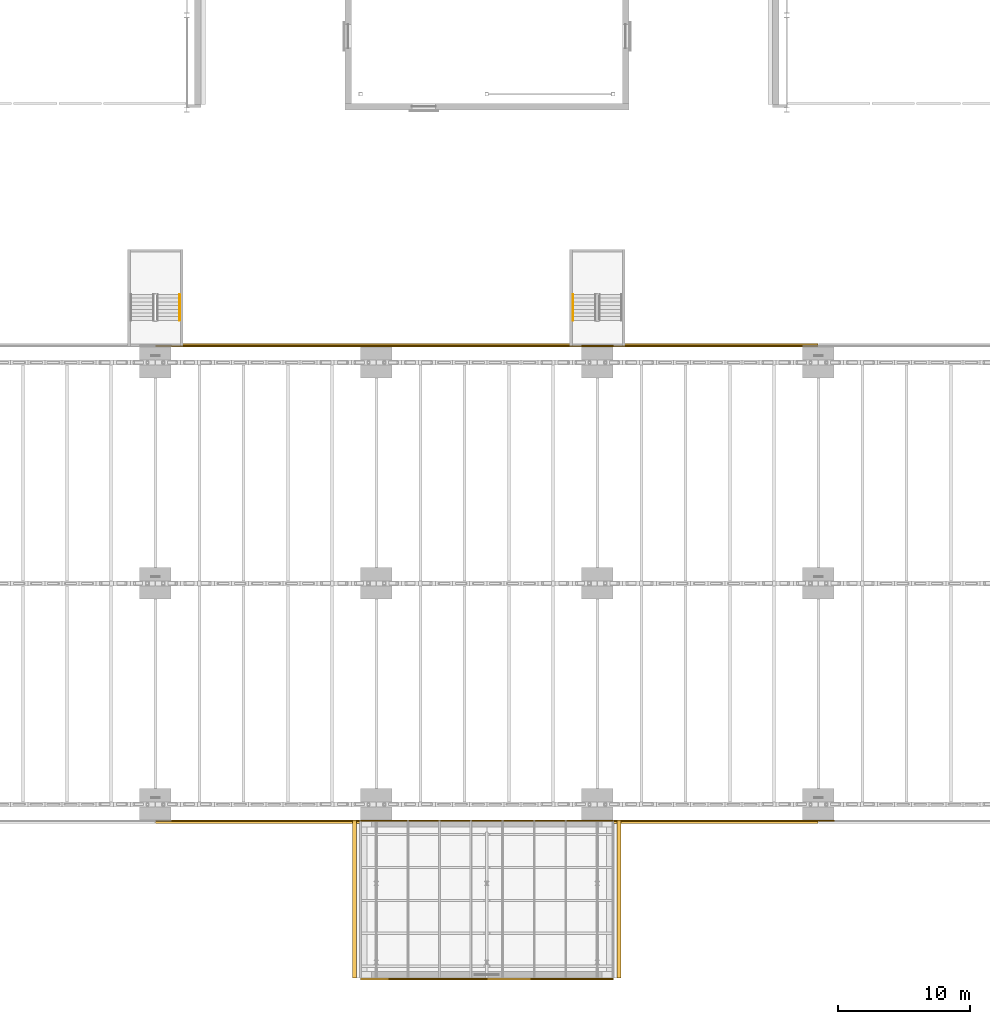
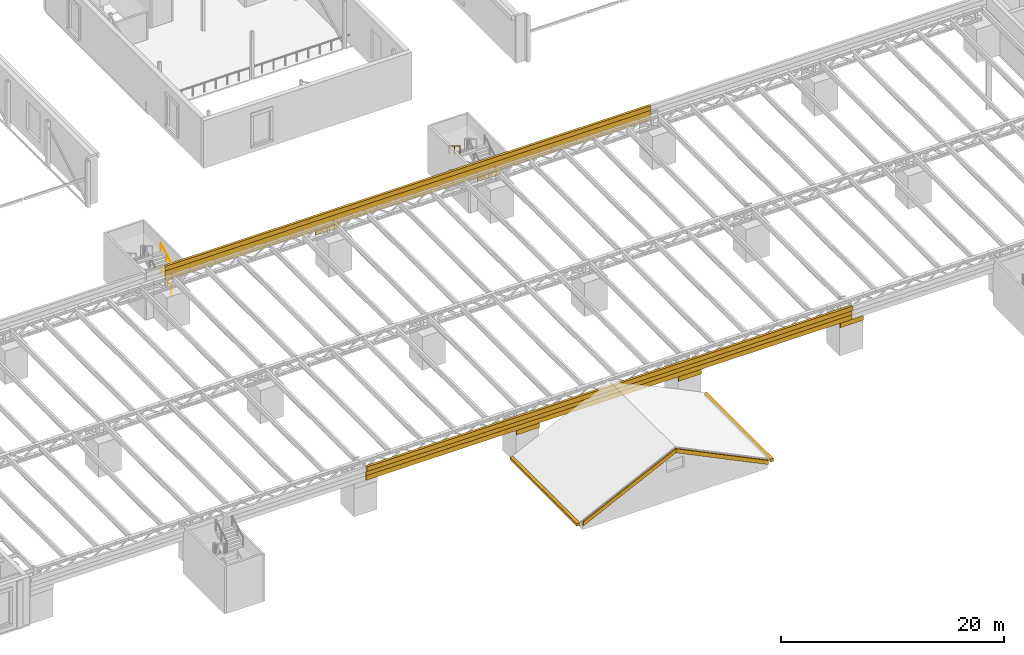
# One storey, part 83 of 93: 15 coverings, 4 railings.
"""IFC4 building model written with IfcOpenShell, lengths in metres."""

from ifc_helpers import new_model, si_unit, direction, frame, origin, origin_2d, place, context, subcontext, project, spatial, polyline, rectangle, circle, outline, extrude, material, layer, layer_set, type_object, element, save


model = new_model("IFC4")

# Units and contexts
model_context = context("Model", 3, precision=1e-05, world=origin(), true_north=direction((0.0, 1.0)))
body_context = subcontext(model_context, "Body", "Model", "MODEL_VIEW")
ifc_project = project(units=[si_unit("LENGTHUNIT", "METRE"), si_unit("AREAUNIT", "SQUARE_METRE"), si_unit("VOLUMEUNIT", "CUBIC_METRE"), si_unit("PLANEANGLEUNIT", "RADIAN"), si_unit("MASSUNIT", "GRAM", prefix="KILO")], contexts=[model_context])

# Site, building, storey
site_placement = place(None, origin())
site = spatial("IfcSite", under=ifc_project, at=site_placement, CompositionType="ELEMENT")
building_placement = place(site_placement, origin())
building = spatial("IfcBuilding", under=site, at=building_placement, Name="Verrick Yard Athletic Hall", CompositionType="ELEMENT")
storey_placement = place(building_placement, frame((0.0, 0.0, 8.800048828125)))
storey = spatial("IfcBuildingStorey", under=building, at=storey_placement, Name="L02", CompositionType="ELEMENT", Elevation=8.800048828125)

# Coverings
ifc_material_1 = material(Name="Limestone cladding", Category="masonry")
ifc_layer_1 = layer(ifc_material_1, 0.25)
ifc_layer_set_1 = layer_set([ifc_layer_1], Name="Cornice")
covering_type_1 = type_object("IfcCoveringType", Name="Cornice", PredefinedType="MOLDING", material=ifc_layer_set_1)
for number, where, z_axis, x_axis, name in (
    (1, (98.800048828125, 17.875, 4.699951171875), (0.0, 0.0, 1.0), (1.0, 0.0, 0.0), "Cornice S2"),
    (2, (98.800048828125, 54.125, 4.699951171875), (0.0, 0.0, 1.0), (1.0, 0.0, 0.0), "Cornice N2"),
):
    element("IfcCovering", number, at=place(storey_placement, frame(where, z_axis=z_axis, x_axis=x_axis)), inside=storey, type_object=covering_type_1, Name=name, PredefinedType="MOLDING", context=body_context, shape_type="SweptSolid", body=[
        extrude(rectangle(XDim=50.35009765625, YDim=0.25, at=origin_2d()), origin(), (0.0, 0.0, 1.0), 0.5),
    ])
ifc_layer_2 = layer(ifc_material_1, 0.10009765625)
ifc_layer_set_2 = layer_set([ifc_layer_2], Name="Entablature band")
covering_type_2 = type_object("IfcCoveringType", Name="Entablature band", PredefinedType="CLADDING", material=ifc_layer_set_2)
for number, where, z_axis, x_axis, name in (
    (3, (98.800048828125, 17.949951171875, 3.64990234375), (0.0, 0.0, 1.0), (1.0, 0.0, 0.0), "Architrave S2"),
    (4, (98.800048828125, 54.050048828125, 3.64990234375), (0.0, 0.0, 1.0), (1.0, 0.0, 0.0), "Architrave N2"),
):
    element("IfcCovering", number, at=place(storey_placement, frame(where, z_axis=z_axis, x_axis=x_axis)), inside=storey, type_object=covering_type_2, Name=name, PredefinedType="CLADDING", context=body_context, shape_type="SweptSolid", body=[
        extrude(rectangle(XDim=50.35009765625, YDim=0.10009765625, at=origin_2d()), origin(), (0.0, 0.0, 1.0), 0.5),
    ])
for number, where, z_axis, x_axis, name in (
    (5, (98.800048828125, 17.949951171875, 4.14990234375), (0.0, 0.0, 1.0), (1.0, 0.0, 0.0), "Frieze S2"),
    (6, (98.800048828125, 54.050048828125, 4.14990234375), (0.0, 0.0, 1.0), (1.0, 0.0, 0.0), "Frieze N2"),
):
    element("IfcCovering", number, at=place(storey_placement, frame(where, z_axis=z_axis, x_axis=x_axis)), inside=storey, type_object=covering_type_2, Name=name, PredefinedType="CLADDING", context=body_context, shape_type="SweptSolid", body=[
        extrude(rectangle(XDim=50.35009765625, YDim=0.10009765625, at=origin_2d()), origin(), (0.0, 0.0, 1.0), 0.550048828125),
    ])
ifc_layer_3 = layer(ifc_material_1, 0.10009765625)
ifc_layer_set_3 = layer_set([ifc_layer_3], Name="Impost and capital moulding")
covering_type_3 = type_object("IfcCoveringType", Name="Impost and capital moulding", PredefinedType="MOLDING", material=ifc_layer_set_3)
for number, where, z_axis, x_axis, name in (
    (7, (90.39990234375, 17.949951171875, 3.14990234375), (0.0, 0.0, 1.0), (1.0, 0.0, 0.0), "Capital S4"),
    (8, (107.199951171875, 17.949951171875, 3.14990234375), (0.0, 0.0, 1.0), (1.0, 0.0, 0.0), "Capital S5"),
    (9, (124.0, 17.949951171875, 3.14990234375), (0.0, 0.0, 1.0), (1.0, 0.0, 0.0), "Capital S6"),
    (10, (90.39990234375, 54.050048828125, 3.14990234375), (0.0, 0.0, 1.0), (1.0, 0.0, 0.0), "Capital N4"),
    (11, (107.199951171875, 54.050048828125, 3.14990234375), (0.0, 0.0, 1.0), (1.0, 0.0, 0.0), "Capital N5"),
):
    element("IfcCovering", number, at=place(storey_placement, frame(where, z_axis=z_axis, x_axis=x_axis)), inside=storey, type_object=covering_type_3, Name=name, PredefinedType="MOLDING", context=body_context, shape_type="SweptSolid", body=[
        extrude(rectangle(XDim=2.39990234375, YDim=0.10009765625, at=origin_2d()), origin(), (0.0, 0.0, 1.0), 0.5),
    ])
ifc_material_2 = material(Name="Heat-traced aluminium gutter", Category="aluminium")
ifc_layer_4 = layer(ifc_material_2, 0.050048828125)
ifc_layer_set_4 = layer_set([ifc_layer_4], Name="Roof gutter")
covering_type_4 = type_object("IfcCoveringType", Name="Roof gutter", PredefinedType="MOLDING", material=ifc_layer_set_4)
for number, where, z_axis, x_axis, name in (
    (12, (88.75, 12.0, 0.57470703125), (0.0, 0.0, 1.0), (1.0, 0.0, 0.0), "Heated eaves gutter foyer W"),
    (13, (108.85009765625, 12.0, 0.57470703125), (0.0, 0.0, 1.0), (1.0, 0.0, 0.0), "Heated eaves gutter foyer E"),
):
    element("IfcCovering", number, at=place(storey_placement, frame(where, z_axis=z_axis, x_axis=x_axis)), inside=storey, type_object=covering_type_4, Name=name, PredefinedType="MOLDING", context=body_context, shape_type="SweptSolid", body=[
        extrude(rectangle(XDim=0.300048828125, YDim=12.0, at=origin_2d()), origin(), (0.0, 0.0, 1.0), 0.300048828125),
    ])

# Railings
ifc_material_3 = material(Name="Stainless steel", Category="steel")
railing_type = type_object("IfcRailingType", Name="Stair handrail 900", PredefinedType="HANDRAIL", material=ifc_material_3)
for number, where, name in (
    (14, (105.35009765625, 57.9599609375, 1.46240234375), "L02 North deck escape 2 stair handrail 2"),
    (15, (105.35009765625, 57.9599609375, 4.0625), "L02 North deck escape 2 stair handrail 4"),
):
    element("IfcRailing", number, at=place(storey_placement, frame(where)), inside=storey, type_object=railing_type, Name=name, PredefinedType="HANDRAIL", context=body_context, shape_type="SweptSolid", body=[
        extrude(circle(Radius=0.02392578125, at=origin_2d()), frame((0.0, 0.0, 0.8759765625), z_axis=(0.0, -0.864902109995, 0.501940574298), x_axis=(1.0, 0.0, 0.0)), (0.0, 0.0, 1.0), 2.26611328125),
        extrude(circle(Radius=0.02099609375, at=origin_2d()), origin(), (0.0, 0.0, 1.0), 0.851806640625),
        extrude(circle(Radius=0.02099609375, at=origin_2d()), frame((0.0, -0.97998046875, 0.56884765625)), (0.0, 0.0, 1.0), 0.851806640625),
        extrude(circle(Radius=0.02099609375, at=origin_2d()), frame((0.0, -1.9599609375, 1.137451171875)), (0.0, 0.0, 1.0), 0.851806640625),
    ])
railing_1_placement = place(storey_placement, frame((75.449951171875, 56.0, 0.162353515625)))
element("IfcRailing", 16, at=railing_1_placement, inside=storey, type_object=railing_type, Name="L02 North deck escape 3 stair handrail 1", PredefinedType="HANDRAIL", context=body_context, shape_type="SweptSolid", body=[
    extrude(circle(Radius=0.02392578125, at=origin_2d()), frame((0.0, 0.0, 0.8759765625), z_axis=(0.0, 0.864855337533, 0.502021160053), x_axis=(-1.0, 0.0, 0.0)), (0.0, 0.0, 1.0), 2.26611328125),
    extrude(circle(Radius=0.02099609375, at=origin_2d()), origin(), (0.0, 0.0, 1.0), 0.851806640625),
    extrude(circle(Radius=0.02099609375, at=origin_2d()), frame((0.0, 0.97998046875, 0.56884765625)), (0.0, 0.0, 1.0), 0.851806640625),
    extrude(circle(Radius=0.02099609375, at=origin_2d()), frame((0.0, 1.9599609375, 1.1376953125)), (0.0, 0.0, 1.0), 0.851806640625),
])
railing_2_placement = place(storey_placement, frame((75.449951171875, 56.0, 2.762451171875)))
element("IfcRailing", 17, at=railing_2_placement, inside=storey, type_object=railing_type, Name="L02 North deck escape 3 stair handrail 3", PredefinedType="HANDRAIL", context=body_context, shape_type="SweptSolid", body=[
    extrude(circle(Radius=0.02392578125, at=origin_2d()), frame((0.0, 0.0, 0.8759765625), z_axis=(0.0, 0.864902109995, 0.501940574298), x_axis=(-1.0, 0.0, 0.0)), (0.0, 0.0, 1.0), 2.26611328125),
    extrude(circle(Radius=0.02099609375, at=origin_2d()), origin(), (0.0, 0.0, 1.0), 0.851806640625),
    extrude(circle(Radius=0.02099609375, at=origin_2d()), frame((0.0, 0.97998046875, 0.56884765625)), (0.0, 0.0, 1.0), 0.851806640625),
    extrude(circle(Radius=0.02099609375, at=origin_2d()), frame((0.0, 1.9599609375, 1.137451171875)), (0.0, 0.0, 1.0), 0.851806640625),
])

# Coverings
ifc_material_4 = material(Name="Tyndall-stone-look precast cladding", Category="masonry")
ifc_layer_5 = layer(ifc_material_4, 0.125)
ifc_layer_set_5 = layer_set([ifc_layer_5], Name="Stone cladding")
covering_type_5 = type_object("IfcCoveringType", Name="Stone cladding", PredefinedType="CLADDING", material=ifc_layer_set_5)
covering_1_placement = place(storey_placement, frame((89.199951171875, 5.925048828125, 0.495361328125), z_axis=(0.0, 0.0, 1.0), x_axis=(1.0, 0.0, 0.0)))
element("IfcCovering", 18, at=covering_1_placement, inside=storey, type_object=covering_type_5, Name="ENVB-FY-S-PED-W", PredefinedType="CLADDING", context=body_context, shape_type="SweptSolid", body=[
    extrude(outline(polyline([(0.0, 0.0), (9.60009765625, 4.654541015625), (9.60009765625, 5.1044921875), (0.0, 0.449951171875), (0.0, 0.0)])), frame((0.0, 0.074951171875, 0.0), z_axis=(0.0, -1.0, 0.0), x_axis=(1.0, 0.0, 0.0)), (0.0, 0.0, 1.0), 0.14990234375),
])
covering_2_placement = place(storey_placement, frame((98.800048828125, 5.925048828125, 0.495361328125), z_axis=(0.0, 0.0, 1.0), x_axis=(1.0, 0.0, 0.0)))
element("IfcCovering", 19, at=covering_2_placement, inside=storey, type_object=covering_type_5, Name="ENVB-FY-S-PED-E", PredefinedType="CLADDING", context=body_context, shape_type="SweptSolid", body=[
    extrude(outline(polyline([(0.0, 4.654541015625), (9.60009765625, 0.0), (9.60009765625, 0.449951171875), (0.0, 5.1044921875), (0.0, 4.654541015625)])), frame((0.0, 0.074951171875, 0.0), z_axis=(0.0, -1.0, 0.0), x_axis=(1.0, 0.0, 0.0)), (0.0, 0.0, 1.0), 0.14990234375),
])

save(model, "model.ifc")
